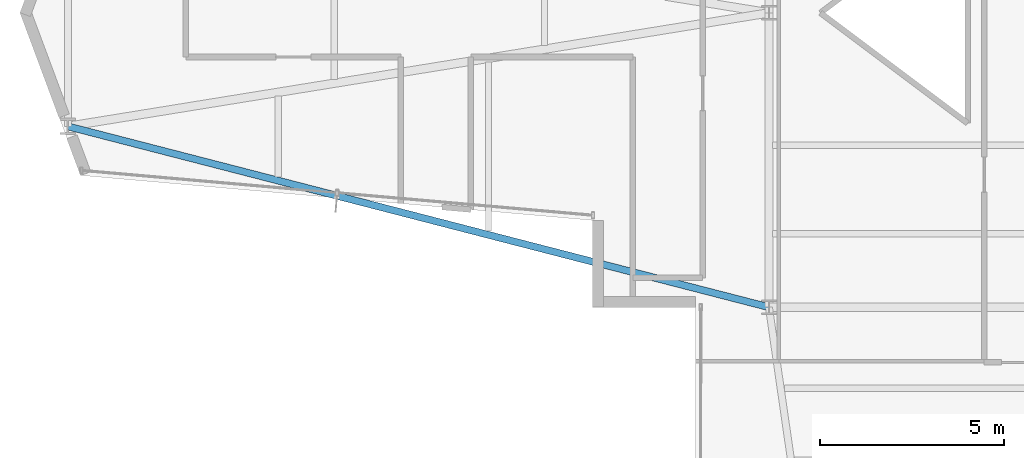
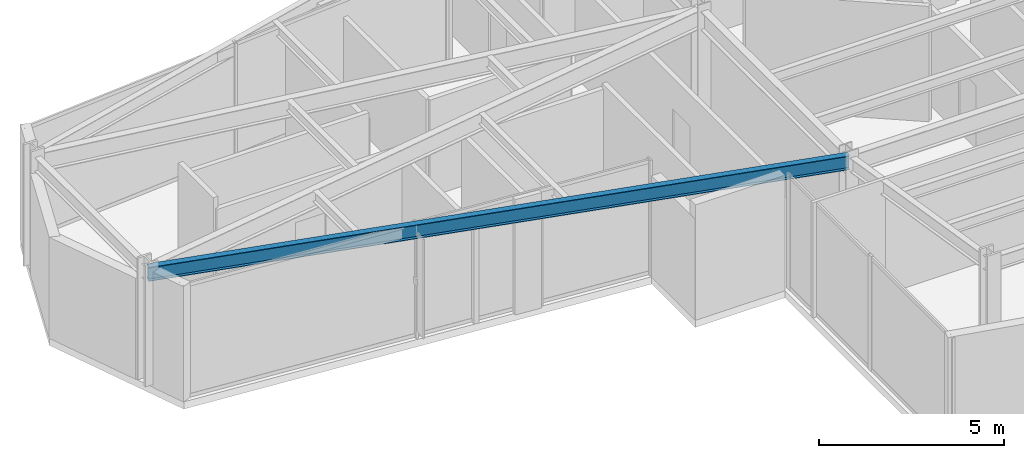
# One storey, part 3 of 25: 1 beam.
"""IFC4 building model written with IfcOpenShell, lengths in metres."""

from ifc_helpers import new_model, si_unit, direction, frame, origin, origin_2d, place, context, subcontext, project, spatial, i_section, extrude, material, material_profile, profile_set, type_object, element, save


model = new_model("IFC4")

# Units and contexts
model_context = context("Model", 3, precision=1e-05, world=origin(), true_north=direction((0.0, 1.0)))
body_context = subcontext(model_context, "Body", "Model", "MODEL_VIEW")
ifc_project = project(units=[si_unit("LENGTHUNIT", "METRE"), si_unit("AREAUNIT", "SQUARE_METRE"), si_unit("VOLUMEUNIT", "CUBIC_METRE"), si_unit("PLANEANGLEUNIT", "RADIAN"), si_unit("MASSUNIT", "GRAM", prefix="KILO")], contexts=[model_context])

# Site, building, storey
site_placement = place(None, origin())
site = spatial("IfcSite", under=ifc_project, at=site_placement, CompositionType="ELEMENT")
building_placement = place(site_placement, origin())
building = spatial("IfcBuilding", under=site, at=building_placement, Name="Veymaron Broadcast Tower", CompositionType="ELEMENT")
storey_placement = place(building_placement, frame((0.0, 0.0, 169.5)))
storey = spatial("IfcBuildingStorey", under=building, at=storey_placement, Name="L39", CompositionType="ELEMENT", Elevation=169.5)

# Beam
ifc_material = material(Name="Structural steel ASTM A992 Gr 50", Category="steel")
ifc_material_profile = material_profile(ifc_material, i_section(OverallWidth=0.19091796875, OverallDepth=0.4599609375, WebThickness=0.010009765625, FlangeThickness=0.01611328125, at=origin_2d()), Name="W460X82")
ifc_profile_set = profile_set([ifc_material_profile], Name="Structural steel ASTM A992 Gr 50")
beam_type = type_object("IfcBeamType", Name="BM-SP1", PredefinedType="SPANDREL", material=ifc_profile_set)
beam_placement = place(storey_placement, frame((12.14697265625, 20.9150390625, 3.580078125), z_axis=(0.968300173822, -0.249789458097, 0.0), x_axis=(0.249789458097, 0.968300173822, 0.0)))
element("IfcBeam", 1, at=beam_placement, inside=storey, type_object=beam_type, Name="L39 primary structural floor girder", PredefinedType="SPANDREL", context=body_context, shape_type="SweptSolid", body=[
    extrude(i_section(OverallWidth=0.19091796875, OverallDepth=0.4599609375, WebThickness=0.010009765625, FlangeThickness=0.01611328125, at=origin_2d()), origin(), (0.0, 0.0, 1.0), 19.6767578125),
])

save(model, "model.ifc")
